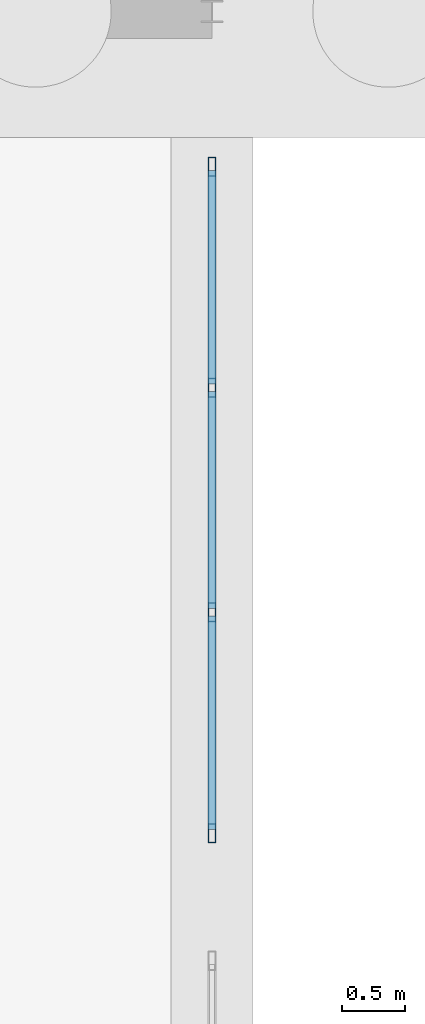
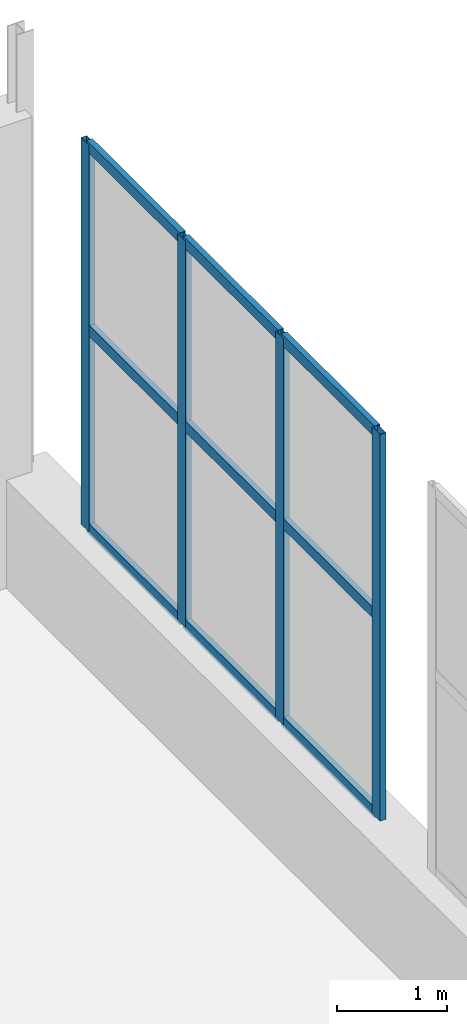
# One storey, part 103 of 139: 13 members, 1 element without a shape of its own.
"""IFC4 building model written with IfcOpenShell, lengths in metres."""

from ifc_helpers import new_model, si_unit, direction, frame, origin, origin_2d, place, context, subcontext, project, spatial, hollow_rectangle, extrude, material, material_profile, profile_set, type_object, element, aggregate, save


model = new_model("IFC4")

# Units and contexts
model_context = context("Model", 3, precision=1e-05, world=origin(), true_north=direction((0.0, 1.0)))
body_context = subcontext(model_context, "Body", "Model", "MODEL_VIEW")
ifc_project = project(units=[si_unit("LENGTHUNIT", "METRE"), si_unit("AREAUNIT", "SQUARE_METRE"), si_unit("VOLUMEUNIT", "CUBIC_METRE"), si_unit("PLANEANGLEUNIT", "RADIAN"), si_unit("MASSUNIT", "GRAM", prefix="KILO")], contexts=[model_context])

# Site, building, storey
site_placement = place(None, origin())
site = spatial("IfcSite", under=ifc_project, at=site_placement, CompositionType="ELEMENT")
building_placement = place(site_placement, origin())
building = spatial("IfcBuilding", under=site, at=building_placement, Name="Kazenagashi Tramway Depot", CompositionType="ELEMENT")
storey_placement = place(building_placement, origin())
storey = spatial("IfcBuildingStorey", under=building, at=storey_placement, Name="L01", CompositionType="ELEMENT", Elevation=0.0)

# Curtain wall, members
ifc_material_1 = material(Name="Anodised Aluminium and Low-E Glazing", Category="aluminium")
curtain_wall_type = type_object("IfcCurtainWallType", Name="CW-05", PredefinedType="USERDEFINED", material=ifc_material_1)
curtain_wall_placement = place(storey_placement, origin())
curtain_wall = element("IfcCurtainWall", 1, at=curtain_wall_placement, inside=storey, type_object=curtain_wall_type, Name="Industrial Glazed Screen CW-05 CW-0015", ObjectType="GLAZED SCREEN", PredefinedType="USERDEFINED")
ifc_material_2 = material(Name="Anodised Aluminium", Category="aluminium")
ifc_material_profile_1 = material_profile(ifc_material_2, hollow_rectangle(XDim=0.06, YDim=0.15, WallThickness=0.004, at=origin_2d()), Name="RHS-150x60x4")
ifc_profile_set_1 = profile_set([ifc_material_profile_1], Name="Anodised Aluminium")
member_type_1 = type_object("IfcMemberType", Name="ML-01", PredefinedType="MULLION", material=ifc_profile_set_1)
member_1_placement = place(storey_placement, frame((196.0, 123.48, 1.2), z_axis=(0.0, 0.0, 1.0), x_axis=(-1.0, 0.0, 0.0)))
member_1 = element("IfcMember", 2, at=member_1_placement, type_object=member_type_1, Name="CW-05 mullion 1", PredefinedType="MULLION", context=body_context, shape_type="SweptSolid", body=[
    extrude(hollow_rectangle(XDim=0.06, YDim=0.15, WallThickness=0.004, at=origin_2d()), origin(), (0.0, 0.0, 1.0), 4.292),
])
member_2_placement = place(storey_placement, frame((196.0, 125.233333, 1.2), z_axis=(0.0, 0.0, 1.0), x_axis=(-1.0, 0.0, 0.0)))
member_2 = element("IfcMember", 3, at=member_2_placement, type_object=member_type_1, Name="CW-05 mullion 2", PredefinedType="MULLION", context=body_context, shape_type="SweptSolid", body=[
    extrude(hollow_rectangle(XDim=0.06, YDim=0.15, WallThickness=0.004, at=origin_2d()), origin(), (0.0, 0.0, 1.0), 4.292),
])
member_3_placement = place(storey_placement, frame((196.0, 127.016667, 1.2), z_axis=(0.0, 0.0, 1.0), x_axis=(-1.0, 0.0, 0.0)))
member_3 = element("IfcMember", 4, at=member_3_placement, type_object=member_type_1, Name="CW-05 mullion 3", PredefinedType="MULLION", context=body_context, shape_type="SweptSolid", body=[
    extrude(hollow_rectangle(XDim=0.06, YDim=0.15, WallThickness=0.004, at=origin_2d()), origin(), (0.0, 0.0, 1.0), 4.292),
])
member_4_placement = place(storey_placement, frame((196.0, 128.77, 1.2), z_axis=(0.0, 0.0, 1.0), x_axis=(-1.0, 0.0, 0.0)))
member_4 = element("IfcMember", 5, at=member_4_placement, type_object=member_type_1, Name="CW-05 mullion 4", PredefinedType="MULLION", context=body_context, shape_type="SweptSolid", body=[
    extrude(hollow_rectangle(XDim=0.06, YDim=0.15, WallThickness=0.004, at=origin_2d()), origin(), (0.0, 0.0, 1.0), 4.292),
])
ifc_material_profile_2 = material_profile(ifc_material_2, hollow_rectangle(XDim=0.06, YDim=0.12, WallThickness=0.004, at=origin_2d()), Name="RHS-120x60x4")
ifc_profile_set_2 = profile_set([ifc_material_profile_2], Name="Anodised Aluminium")
member_type_2 = type_object("IfcMemberType", Name="TR-01", PredefinedType="USERDEFINED", material=ifc_profile_set_2)
member_5_placement = place(storey_placement, frame((196.0, 123.51, 1.23), z_axis=(0.0, 1.0, 0.0), x_axis=(-1.0, 0.0, 0.0)))
member_5 = element("IfcMember", 6, at=member_5_placement, type_object=member_type_2, Name="CW-05 transom 1.1", ObjectType="TRANSOM", PredefinedType="USERDEFINED", context=body_context, shape_type="SweptSolid", body=[
    extrude(hollow_rectangle(XDim=0.06, YDim=0.12, WallThickness=0.004, at=origin_2d()), origin(), (0.0, 0.0, 1.0), 1.693333),
])
member_6_placement = place(storey_placement, frame((196.0, 123.51, 3.432), z_axis=(0.0, 1.0, 0.0), x_axis=(-1.0, 0.0, 0.0)))
member_6 = element("IfcMember", 7, at=member_6_placement, type_object=member_type_2, Name="CW-05 transom 1.2", ObjectType="TRANSOM", PredefinedType="USERDEFINED", context=body_context, shape_type="SweptSolid", body=[
    extrude(hollow_rectangle(XDim=0.06, YDim=0.12, WallThickness=0.004, at=origin_2d()), origin(), (0.0, 0.0, 1.0), 1.693333),
])
member_7_placement = place(storey_placement, frame((196.0, 123.51, 5.462), z_axis=(0.0, 1.0, 0.0), x_axis=(-1.0, 0.0, 0.0)))
member_7 = element("IfcMember", 8, at=member_7_placement, type_object=member_type_2, Name="CW-05 transom 1.3", ObjectType="TRANSOM", PredefinedType="USERDEFINED", context=body_context, shape_type="SweptSolid", body=[
    extrude(hollow_rectangle(XDim=0.06, YDim=0.12, WallThickness=0.004, at=origin_2d()), origin(), (0.0, 0.0, 1.0), 1.693333),
])
member_8_placement = place(storey_placement, frame((196.0, 125.263333, 1.23), z_axis=(0.0, 1.0, 0.0), x_axis=(-1.0, 0.0, 0.0)))
member_8 = element("IfcMember", 9, at=member_8_placement, type_object=member_type_2, Name="CW-05 transom 2.1", ObjectType="TRANSOM", PredefinedType="USERDEFINED", context=body_context, shape_type="SweptSolid", body=[
    extrude(hollow_rectangle(XDim=0.06, YDim=0.12, WallThickness=0.004, at=origin_2d()), origin(), (0.0, 0.0, 1.0), 1.723334),
])
member_9_placement = place(storey_placement, frame((196.0, 125.263333, 3.432), z_axis=(0.0, 1.0, 0.0), x_axis=(-1.0, 0.0, 0.0)))
member_9 = element("IfcMember", 10, at=member_9_placement, type_object=member_type_2, Name="CW-05 transom 2.2", ObjectType="TRANSOM", PredefinedType="USERDEFINED", context=body_context, shape_type="SweptSolid", body=[
    extrude(hollow_rectangle(XDim=0.06, YDim=0.12, WallThickness=0.004, at=origin_2d()), origin(), (0.0, 0.0, 1.0), 1.723334),
])
member_10_placement = place(storey_placement, frame((196.0, 125.263333, 5.462), z_axis=(0.0, 1.0, 0.0), x_axis=(-1.0, 0.0, 0.0)))
member_10 = element("IfcMember", 11, at=member_10_placement, type_object=member_type_2, Name="CW-05 transom 2.3", ObjectType="TRANSOM", PredefinedType="USERDEFINED", context=body_context, shape_type="SweptSolid", body=[
    extrude(hollow_rectangle(XDim=0.06, YDim=0.12, WallThickness=0.004, at=origin_2d()), origin(), (0.0, 0.0, 1.0), 1.723334),
])
member_11_placement = place(storey_placement, frame((196.0, 127.046667, 1.23), z_axis=(0.0, 1.0, 0.0), x_axis=(-1.0, 0.0, 0.0)))
member_11 = element("IfcMember", 12, at=member_11_placement, type_object=member_type_2, Name="CW-05 transom 3.1", ObjectType="TRANSOM", PredefinedType="USERDEFINED", context=body_context, shape_type="SweptSolid", body=[
    extrude(hollow_rectangle(XDim=0.06, YDim=0.12, WallThickness=0.004, at=origin_2d()), origin(), (0.0, 0.0, 1.0), 1.693333),
])
member_12_placement = place(storey_placement, frame((196.0, 127.046667, 3.432), z_axis=(0.0, 1.0, 0.0), x_axis=(-1.0, 0.0, 0.0)))
member_12 = element("IfcMember", 13, at=member_12_placement, type_object=member_type_2, Name="CW-05 transom 3.2", ObjectType="TRANSOM", PredefinedType="USERDEFINED", context=body_context, shape_type="SweptSolid", body=[
    extrude(hollow_rectangle(XDim=0.06, YDim=0.12, WallThickness=0.004, at=origin_2d()), origin(), (0.0, 0.0, 1.0), 1.693333),
])
member_13_placement = place(storey_placement, frame((196.0, 127.046667, 5.462), z_axis=(0.0, 1.0, 0.0), x_axis=(-1.0, 0.0, 0.0)))
member_13 = element("IfcMember", 14, at=member_13_placement, type_object=member_type_2, Name="CW-05 transom 3.3", ObjectType="TRANSOM", PredefinedType="USERDEFINED", context=body_context, shape_type="SweptSolid", body=[
    extrude(hollow_rectangle(XDim=0.06, YDim=0.12, WallThickness=0.004, at=origin_2d()), origin(), (0.0, 0.0, 1.0), 1.693333),
])
aggregate(curtain_wall, [member_1, member_2, member_3, member_4, member_5, member_6, member_7, member_8, member_9, member_10, member_11, member_12, member_13])

save(model, "model.ifc")
